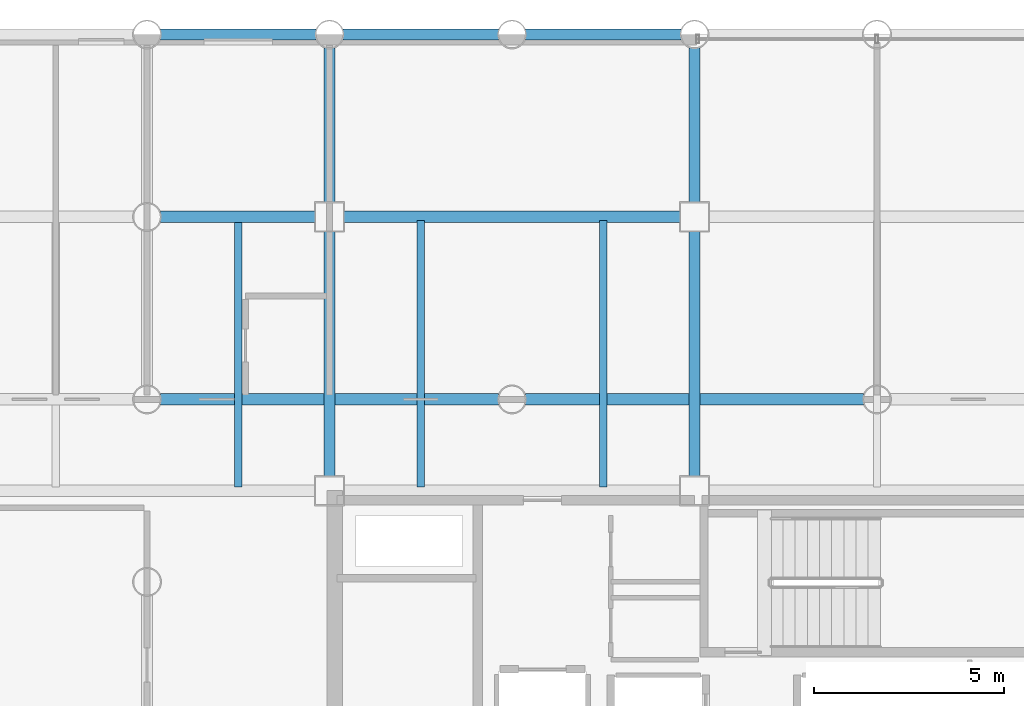
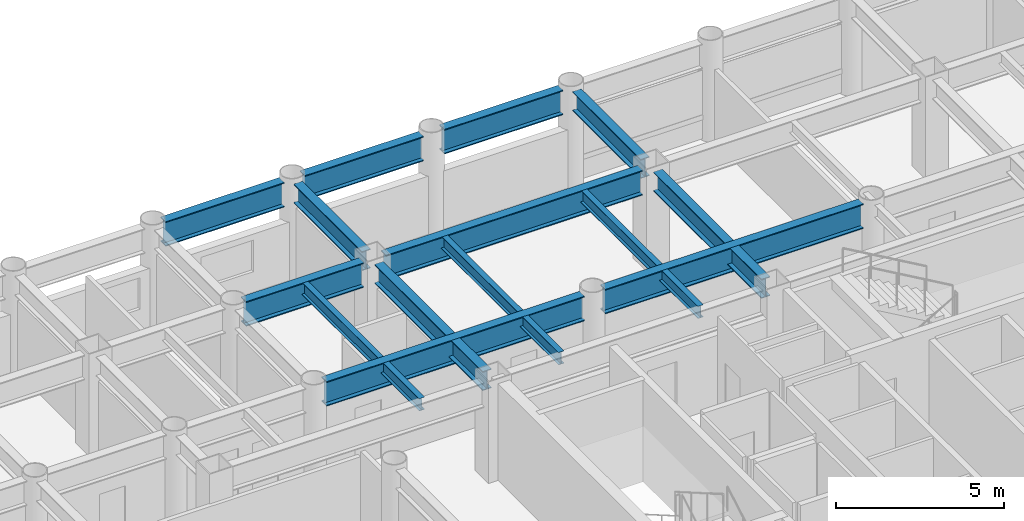
# One storey, part 10 of 22: 14 beams.
"""IFC4 building model written with IfcOpenShell, lengths in metres."""

from ifc_helpers import new_model, si_unit, direction, frame, origin, origin_2d, place, context, subcontext, project, spatial, i_section, extrude, material, material_profile, profile_set, type_object, element, save


model = new_model("IFC4")

# Units and contexts
model_context = context("Model", 3, precision=1e-05, world=origin(), true_north=direction((0.0, 1.0)))
body_context = subcontext(model_context, "Body", "Model", "MODEL_VIEW")
ifc_project = project(units=[si_unit("LENGTHUNIT", "METRE"), si_unit("AREAUNIT", "SQUARE_METRE"), si_unit("VOLUMEUNIT", "CUBIC_METRE"), si_unit("PLANEANGLEUNIT", "RADIAN"), si_unit("MASSUNIT", "GRAM", prefix="KILO")], contexts=[model_context])

# Site, building, storey
site_placement = place(None, origin())
site = spatial("IfcSite", under=ifc_project, at=site_placement, CompositionType="ELEMENT")
building_placement = place(site_placement, origin())
building = spatial("IfcBuilding", under=site, at=building_placement, Name="Kallvorn Hotel Tower", CompositionType="ELEMENT")
storey_placement = place(building_placement, frame((0.0, 0.0, 48.5)))
storey = spatial("IfcBuildingStorey", under=building, at=storey_placement, Name="L10", CompositionType="ELEMENT", Elevation=48.5)

# Beams
ifc_material_1 = material(Name="Structural steel S355JR", Category="steel")
ifc_material_profile_1 = material_profile(ifc_material_1, i_section(OverallWidth=0.300048828125, OverallDepth=0.699951171875, WebThickness=0.01708984375, FlangeThickness=0.031982421875, at=origin_2d()), Name="HE 700 B")
ifc_profile_set_1 = profile_set([ifc_material_profile_1], Name="Structural steel S355JR")
beam_type_1 = type_object("IfcBeamType", Name="BM_HE700B", PredefinedType="BEAM", material=ifc_profile_set_1)
beam_1_placement = place(storey_placement, frame((-14.39990234375, 7.574951171875, 3.169921875), z_axis=(0.0, 1.0, 0.0), x_axis=(-1.0, 0.0, 0.0)))
element("IfcBeam", 1, at=beam_1_placement, inside=storey, type_object=beam_type_1, Name="L11 Primary Y-Girder 101", PredefinedType="BEAM", context=body_context, shape_type="SweptSolid", body=[
    extrude(i_section(OverallWidth=0.300048828125, OverallDepth=0.699951171875, WebThickness=0.01708984375, FlangeThickness=0.031982421875, at=origin_2d()), origin(), (0.0, 0.0, 1.0), 6.449951171875),
])
beam_2_placement = place(storey_placement, frame((-14.39990234375, 14.77490234375, 3.169921875), z_axis=(0.0, 1.0, 0.0), x_axis=(-1.0, 0.0, 0.0)))
element("IfcBeam", 2, at=beam_2_placement, inside=storey, type_object=beam_type_1, Name="L11 Primary Y-Girder 102", PredefinedType="BEAM", context=body_context, shape_type="SweptSolid", body=[
    extrude(i_section(OverallWidth=0.300048828125, OverallDepth=0.699951171875, WebThickness=0.01708984375, FlangeThickness=0.031982421875, at=origin_2d()), origin(), (0.0, 0.0, 1.0), 4.069091796875),
])
beam_3_placement = place(storey_placement, frame((-4.800048828125, 7.574951171875, 3.169921875), z_axis=(0.0, 1.0, 0.0), x_axis=(-1.0, 0.0, 0.0)))
element("IfcBeam", 3, at=beam_3_placement, inside=storey, type_object=beam_type_1, Name="L11 Primary Y-Girder 109", PredefinedType="BEAM", context=body_context, shape_type="SweptSolid", body=[
    extrude(i_section(OverallWidth=0.300048828125, OverallDepth=0.699951171875, WebThickness=0.01708984375, FlangeThickness=0.031982421875, at=origin_2d()), origin(), (0.0, 0.0, 1.0), 6.449951171875),
])
beam_4_placement = place(storey_placement, frame((-4.800048828125, 14.77490234375, 3.169921875), z_axis=(0.0, 1.0, 0.0), x_axis=(-1.0, 0.0, 0.0)))
element("IfcBeam", 4, at=beam_4_placement, inside=storey, type_object=beam_type_1, Name="L11 Primary Y-Girder 110", PredefinedType="BEAM", context=body_context, shape_type="SweptSolid", body=[
    extrude(i_section(OverallWidth=0.300048828125, OverallDepth=0.699951171875, WebThickness=0.01708984375, FlangeThickness=0.031982421875, at=origin_2d()), origin(), (0.0, 0.0, 1.0), 4.069091796875),
])
ifc_material_2 = material(Name="Structural steel S355JR", Category="steel")
ifc_material_profile_2 = material_profile(ifc_material_2, i_section(OverallWidth=0.300048828125, OverallDepth=0.89990234375, WebThickness=0.0185546875, FlangeThickness=0.034912109375, at=origin_2d()), Name="HE 900 B")
ifc_profile_set_2 = profile_set([ifc_material_profile_2], Name="Structural steel S355JR")
beam_type_2 = type_object("IfcBeamType", Name="BM_HE900B", PredefinedType="BEAM", material=ifc_profile_set_2)
for number, where, z_axis, x_axis, name in (
    (5, (-18.843994140625, 9.60009765625, 3.070068359375), (1.0, 0.0, 0.0), (0.0, 1.0, 0.0), "L11 Primary X-Girder 45"),
    (6, (-9.243896484375, 9.60009765625, 3.070068359375), (1.0, 0.0, 0.0), (0.0, 1.0, 0.0), "L11 Primary X-Girder 46"),
):
    element("IfcBeam", number, at=place(storey_placement, frame(where, z_axis=z_axis, x_axis=x_axis)), inside=storey, type_object=beam_type_2, Name=name, PredefinedType="BEAM", context=body_context, shape_type="SweptSolid", body=[
        extrude(i_section(OverallWidth=0.300048828125, OverallDepth=0.89990234375, WebThickness=0.0185546875, FlangeThickness=0.034912109375, at=origin_2d()), origin(), (0.0, 0.0, 1.0), 8.887939453125),
    ])
beam_5_placement = place(storey_placement, frame((-18.843994140625, 14.39990234375, 3.070068359375), z_axis=(1.0, 0.0, 0.0), x_axis=(0.0, 1.0, 0.0)))
element("IfcBeam", 7, at=beam_5_placement, inside=storey, type_object=beam_type_2, Name="L11 Primary X-Girder 54", PredefinedType="BEAM", context=body_context, shape_type="SweptSolid", body=[
    extrude(i_section(OverallWidth=0.300048828125, OverallDepth=0.89990234375, WebThickness=0.0185546875, FlangeThickness=0.034912109375, at=origin_2d()), origin(), (0.0, 0.0, 1.0), 4.069091796875),
])
beam_6_placement = place(storey_placement, frame((-14.02490234375, 14.39990234375, 3.070068359375), z_axis=(1.0, 0.0, 0.0), x_axis=(0.0, 1.0, 0.0)))
element("IfcBeam", 8, at=beam_6_placement, inside=storey, type_object=beam_type_2, Name="L11 Primary X-Girder 55", PredefinedType="BEAM", context=body_context, shape_type="SweptSolid", body=[
    extrude(i_section(OverallWidth=0.300048828125, OverallDepth=0.89990234375, WebThickness=0.0185546875, FlangeThickness=0.034912109375, at=origin_2d()), origin(), (0.0, 0.0, 1.0), 8.849853515625),
])
for number, where, z_axis, x_axis, name in (
    (9, (-18.843994140625, 19.199951171875, 3.070068359375), (1.0, 0.0, 0.0), (0.0, 1.0, 0.0), "L11 Primary X-Girder 63"),
    (10, (-14.0439453125, 19.199951171875, 3.070068359375), (1.0, 0.0, 0.0), (0.0, 1.0, 0.0), "L11 Primary X-Girder 64"),
    (11, (-9.243896484375, 19.199951171875, 3.070068359375), (1.0, 0.0, 0.0), (0.0, 1.0, 0.0), "L11 Primary X-Girder 65"),
):
    element("IfcBeam", number, at=place(storey_placement, frame(where, z_axis=z_axis, x_axis=x_axis)), inside=storey, type_object=beam_type_2, Name=name, PredefinedType="BEAM", context=body_context, shape_type="SweptSolid", body=[
        extrude(i_section(OverallWidth=0.300048828125, OverallDepth=0.89990234375, WebThickness=0.0185546875, FlangeThickness=0.034912109375, at=origin_2d()), origin(), (0.0, 0.0, 1.0), 4.087890625),
    ])
ifc_material_3 = material(Name="Structural steel S355JR", Category="steel")
ifc_material_profile_3 = material_profile(ifc_material_3, i_section(OverallWidth=0.18994140625, OverallDepth=0.449951171875, WebThickness=0.009521484375, FlangeThickness=0.0146484375, at=origin_2d()), Name="IPE 450")
ifc_profile_set_3 = profile_set([ifc_material_profile_3], Name="Structural steel S355JR")
beam_type_3 = type_object("IfcBeamType", Name="BM_IPE450", PredefinedType="JOIST", material=ifc_profile_set_3)
for number, where, z_axis, x_axis, name in (
    (12, (-16.800048828125, 7.300048828125, 3.294921875), (0.0, 1.0, 0.0), (-1.0, 0.0, 0.0), "L11 Secondary Composite Joist 195"),
    (13, (-12.0, 7.300048828125, 3.294921875), (0.0, 1.0, 0.0), (-1.0, 0.0, 0.0), "L11 Secondary Composite Joist 197"),
    (14, (-7.199951171875, 7.300048828125, 3.294921875), (0.0, 1.0, 0.0), (-1.0, 0.0, 0.0), "L11 Secondary Composite Joist 199"),
):
    element("IfcBeam", number, at=place(storey_placement, frame(where, z_axis=z_axis, x_axis=x_axis)), inside=storey, type_object=beam_type_3, Name=name, PredefinedType="JOIST", context=body_context, shape_type="SweptSolid", body=[
        extrude(i_section(OverallWidth=0.18994140625, OverallDepth=0.449951171875, WebThickness=0.009521484375, FlangeThickness=0.0146484375, at=origin_2d()), origin(), (0.0, 0.0, 1.0), 7.0),
    ])

save(model, "model.ifc")
